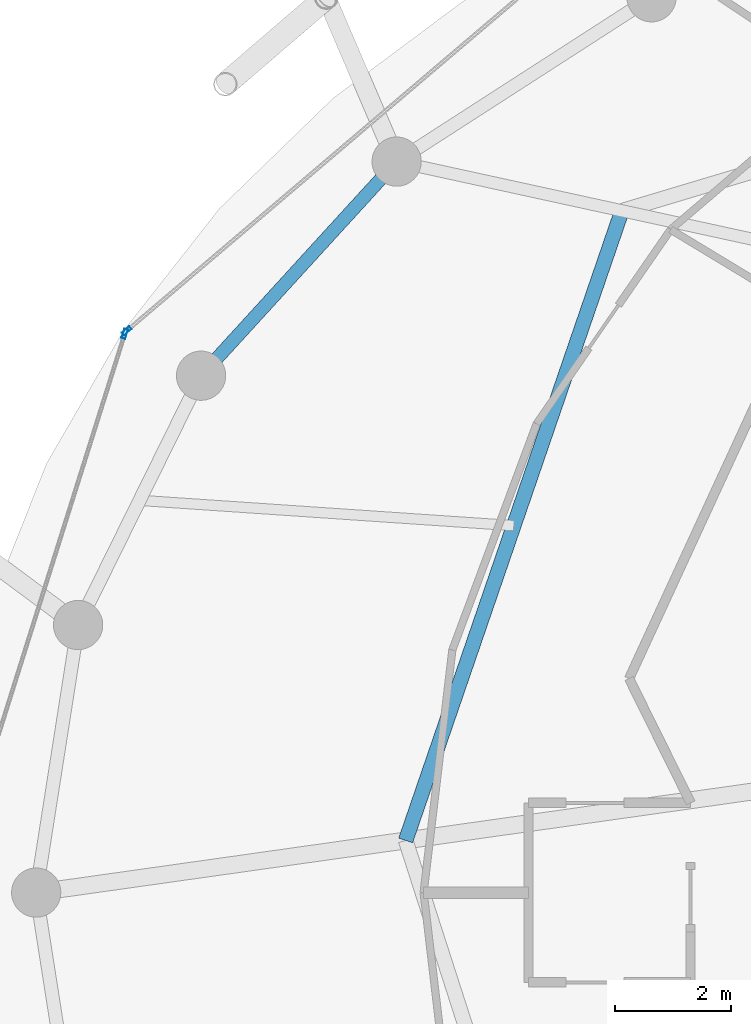
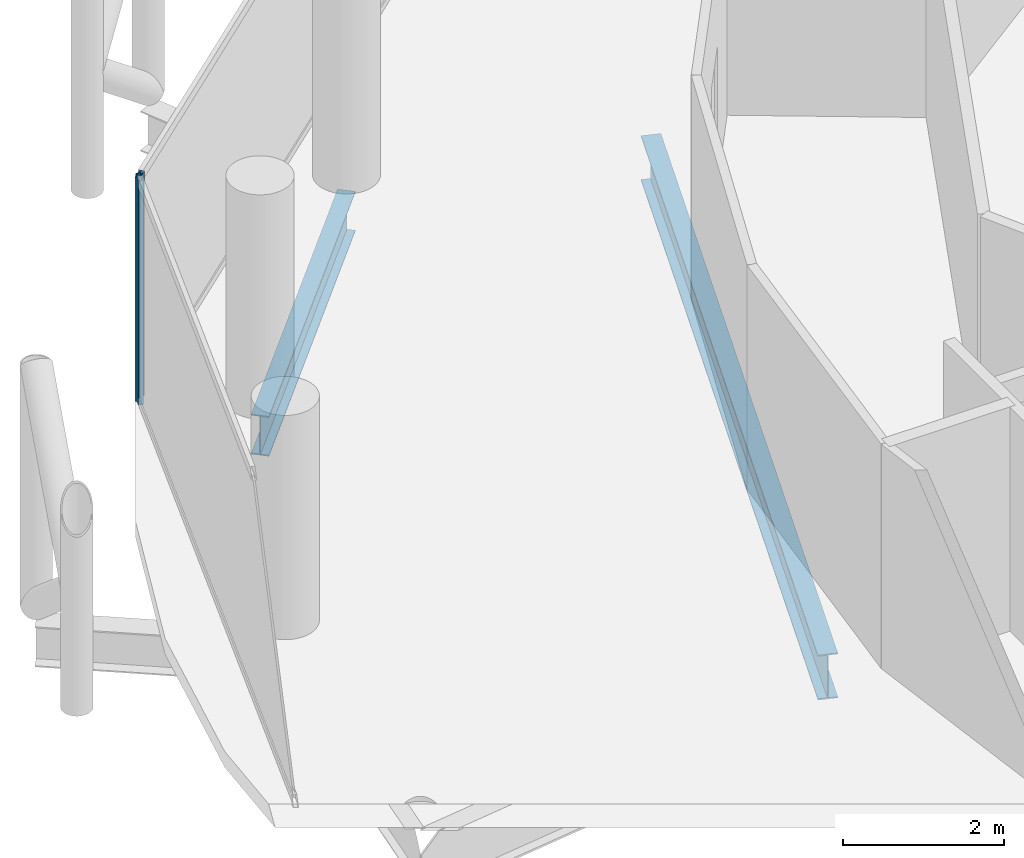
# One storey, part 9 of 27: 2 beams, 2 members, 2 elements without a shape of their own.
"""IFC4 building model written with IfcOpenShell, lengths in metres."""

from ifc_helpers import new_model, si_unit, direction, frame, origin, origin_2d, place, context, subcontext, project, spatial, hollow_rectangle, i_section, extrude, material, layer, layer_set, material_profile, profile_set, type_object, element, aggregate, save


model = new_model("IFC4")

# Units and contexts
model_context = context("Model", 3, precision=1e-05, world=origin(), true_north=direction((0.0, 1.0)))
body_context = subcontext(model_context, "Body", "Model", "MODEL_VIEW")
ifc_project = project(units=[si_unit("LENGTHUNIT", "METRE"), si_unit("AREAUNIT", "SQUARE_METRE"), si_unit("VOLUMEUNIT", "CUBIC_METRE"), si_unit("PLANEANGLEUNIT", "RADIAN"), si_unit("MASSUNIT", "GRAM", prefix="KILO")], contexts=[model_context])

# Site, building, storey
site_placement = place(None, origin())
site = spatial("IfcSite", under=ifc_project, at=site_placement, CompositionType="ELEMENT")
building_placement = place(site_placement, origin())
building = spatial("IfcBuilding", under=site, at=building_placement, Name="Nuhasar Tower", CompositionType="ELEMENT")
storey_placement = place(building_placement, frame((0.0, 0.0, 237.35009765625)))
storey = spatial("IfcBuildingStorey", under=building, at=storey_placement, Name="L58", CompositionType="ELEMENT", Elevation=237.35009765625)

# Beams
ifc_material_1 = material(Name="Steel S355", Category="steel")
ifc_material_profile_1 = material_profile(ifc_material_1, i_section(OverallWidth=0.25390625, OverallDepth=0.68408203125, WebThickness=0.012451171875, FlangeThickness=0.018798828125, at=origin_2d()), Name="W27X94")
ifc_profile_set_1 = profile_set([ifc_material_profile_1], Name="Steel S355")
beam_type_1 = type_object("IfcBeamType", Name="BM-INRING-W27X94", PredefinedType="BEAM", material=ifc_profile_set_1)
beam_1_placement = place(storey_placement, frame((27.864013671875, 38.572998046875, -0.58203125), z_axis=(-0.324809117642, -0.945779592239, 0.0), x_axis=(0.945779592239, -0.324809117642, 0.0)))
element("IfcBeam", 1, at=beam_1_placement, inside=storey, type_object=beam_type_1, Name="L58 Inner Header Beam 07", PredefinedType="BEAM", context=body_context, shape_type="SweptSolid", body=[
    extrude(i_section(OverallWidth=0.25390625, OverallDepth=0.68408203125, WebThickness=0.012451171875, FlangeThickness=0.018798828125, at=origin_2d()), origin(), (0.0, 0.0, 1.0), 11.496337890625),
])
ifc_material_profile_2 = material_profile(ifc_material_1, i_section(OverallWidth=0.22802734375, OverallDepth=0.60791015625, WebThickness=0.01123046875, FlangeThickness=0.017333984375, at=origin_2d()), Name="W24X76")
ifc_profile_set_2 = profile_set([ifc_material_profile_2], Name="Steel S355")
beam_type_2 = type_object("IfcBeamType", Name="BM-RING-W24X76", PredefinedType="SPANDREL", material=ifc_profile_set_2)
beam_2_placement = place(storey_placement, frame((23.97412109375, 39.422119140625, -0.544189453125), z_axis=(-0.674449692975, -0.738320805373, 0.0), x_axis=(0.738320805373, -0.674449692975, 0.0)))
element("IfcBeam", 2, at=beam_2_placement, inside=storey, type_object=beam_type_2, Name="L58 Perimeter Ring Spandrel 10", PredefinedType="SPANDREL", context=body_context, shape_type="SweptSolid", body=[
    extrude(i_section(OverallWidth=0.22802734375, OverallDepth=0.60791015625, WebThickness=0.01123046875, FlangeThickness=0.017333984375, at=origin_2d()), origin(), (0.0, 0.0, 1.0), 5.00732421875),
])

# Curtain wall, member
ifc_material_2 = material(Name="Aluminium 6063-T6", Category="aluminium")
ifc_layer = layer(ifc_material_2, 0.18994140625)
ifc_layer_set = layer_set([ifc_layer], Name="Aluminium 6063-T6")
curtain_wall_type = type_object("IfcCurtainWallType", Name="CW-Z3-RES", PredefinedType="NOTDEFINED", material=ifc_layer_set)
curtain_wall_1_placement = place(storey_placement, origin())
curtain_wall_1 = element("IfcCurtainWall", 3, at=curtain_wall_1_placement, inside=storey, type_object=curtain_wall_type, Name="L58 Unitised Curtain Wall 05", PredefinedType="NOTDEFINED")
ifc_material_profile_3 = material_profile(ifc_material_2, hollow_rectangle(XDim=0.06494140625, YDim=0.169921875, WallThickness=0.0048828125, at=origin_2d()), Name="CWM-4")
ifc_profile_set_3 = profile_set([ifc_material_profile_3], Name="Aluminium 6063-T6")
member_type = type_object("IfcMemberType", Name="CW-MUL-S4", PredefinedType="MULLION", material=ifc_profile_set_3)
member_1_placement = place(storey_placement, frame((19.313720703125, 36.5009765625, 0.0), z_axis=(0.0, 0.0, 1.0), x_axis=(0.64789521578, -0.761729472562, 0.0)))
member_1 = element("IfcMember", 4, at=member_1_placement, type_object=member_type, Name="CW-Z3 mullion 2", PredefinedType="MULLION", context=body_context, shape_type="SweptSolid", body=[
    extrude(hollow_rectangle(XDim=0.06494140625, YDim=0.169921875, WallThickness=0.0048828125, at=origin_2d()), origin(), (0.0, 0.0, 1.0), 3.409912109375),
])
aggregate(curtain_wall_1, [member_1])

curtain_wall_2_placement = place(storey_placement, origin())
curtain_wall_2 = element("IfcCurtainWall", 5, at=curtain_wall_2_placement, inside=storey, type_object=curtain_wall_type, Name="L58 Unitised Curtain Wall 06", PredefinedType="NOTDEFINED")
member_2_placement = place(storey_placement, frame((19.279296875, 36.448974609375, 0.0), z_axis=(0.0, 0.0, 1.0), x_axis=(0.95380429279, -0.30042864553, 0.0)))
member_2 = element("IfcMember", 6, at=member_2_placement, type_object=member_type, Name="CW-Z3 mullion 1", PredefinedType="MULLION", context=body_context, shape_type="SweptSolid", body=[
    extrude(hollow_rectangle(XDim=0.06494140625, YDim=0.169921875, WallThickness=0.0048828125, at=origin_2d()), origin(), (0.0, 0.0, 1.0), 3.409912109375),
])
aggregate(curtain_wall_2, [member_2])

save(model, "model.ifc")
